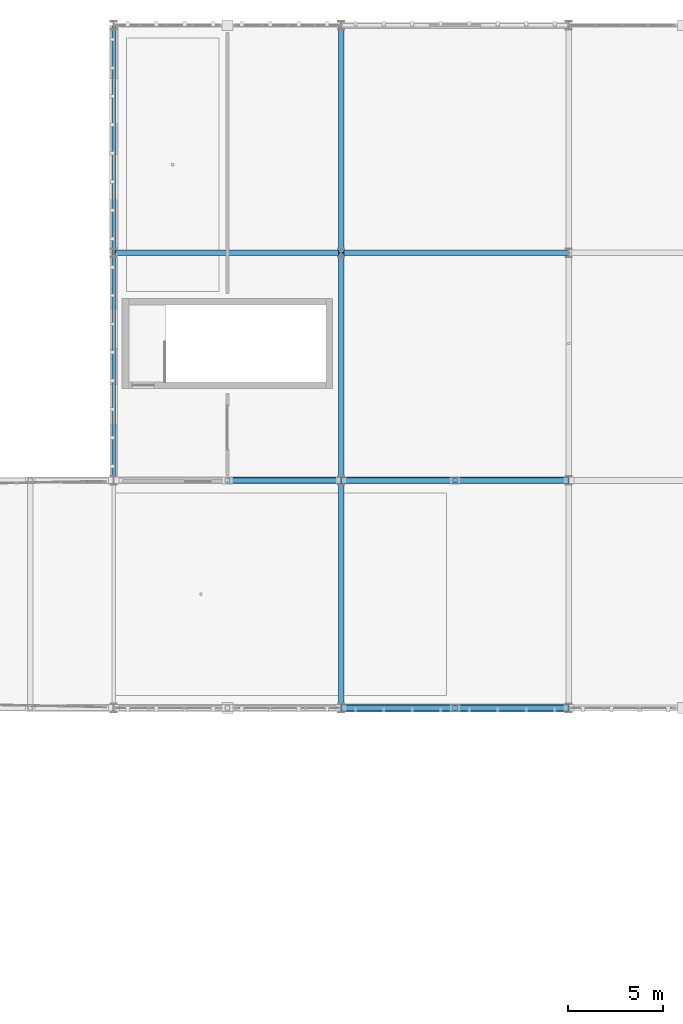
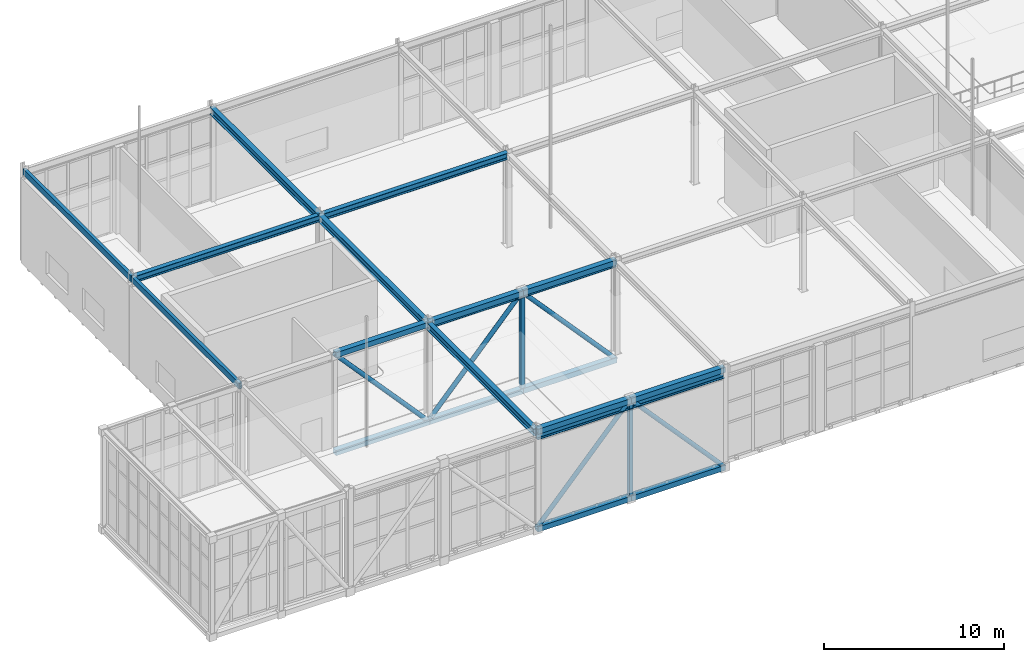
# One storey, part 15 of 62: 17 members, 9 beams.
"""IFC4 building model written with IfcOpenShell, lengths in metres."""

from ifc_helpers import new_model, si_unit, direction, frame, origin, origin_2d, place, context, subcontext, project, spatial, hollow_rectangle, hollow_circle, i_section, extrude, material, material_profile, profile_set, type_object, element, save


model = new_model("IFC4")

# Units and contexts
model_context = context("Model", 3, precision=1e-05, world=origin(), true_north=direction((0.0, 1.0)))
body_context = subcontext(model_context, "Body", "Model", "MODEL_VIEW")
ifc_project = project(units=[si_unit("LENGTHUNIT", "METRE"), si_unit("AREAUNIT", "SQUARE_METRE"), si_unit("VOLUMEUNIT", "CUBIC_METRE"), si_unit("PLANEANGLEUNIT", "RADIAN"), si_unit("MASSUNIT", "GRAM", prefix="KILO")], contexts=[model_context])

# Site, building, storey
site_placement = place(None, origin())
site = spatial("IfcSite", under=ifc_project, at=site_placement, CompositionType="ELEMENT")
building_placement = place(site_placement, origin())
building = spatial("IfcBuilding", under=site, at=building_placement, Name="Zlatogorsky Bluff Art Gallery", CompositionType="ELEMENT")
storey_placement = place(building_placement, frame((0.0, 0.0, 16.800048828125)))
storey = spatial("IfcBuildingStorey", under=building, at=storey_placement, Name="L03", CompositionType="ELEMENT", Elevation=16.800048828125)

# Beams
ifc_material = material(Name="Steel S355", Category="steel")
ifc_material_profile_1 = material_profile(ifc_material, i_section(OverallWidth=0.300048828125, OverallDepth=0.699951171875, WebThickness=0.01708984375, FlangeThickness=0.031982421875, FilletRadius=0.027099609375, at=origin_2d()), Name="HEB 700")
ifc_profile_set_1 = profile_set([ifc_material_profile_1], Name="Steel S355")
beam_type_1 = type_object("IfcBeamType", Name="Beam BM-02 HEB 700", PredefinedType="BEAM", material=ifc_profile_set_1)
beam_placement = place(storey_placement, frame((12.014892578125, 84.0, 5.97998046875), z_axis=(1.0, 0.0, 0.0), x_axis=(0.0, 1.0, 0.0)))
element("IfcBeam", 1, at=beam_placement, inside=storey, type_object=beam_type_1, Name="Primary girder BM-02 L03 B-C/9", PredefinedType="BEAM", context=body_context, shape_type="SweptSolid", body=[
    extrude(i_section(OverallWidth=0.300048828125, OverallDepth=0.699951171875, WebThickness=0.01708984375, FlangeThickness=0.031982421875, FilletRadius=0.027099609375, at=origin_2d()), origin(), (0.0, 0.0, 1.0), 11.97021484375),
])
ifc_material_profile_2 = material_profile(ifc_material, i_section(OverallWidth=0.300048828125, OverallDepth=0.489990234375, WebThickness=0.011962890625, FlangeThickness=0.02294921875, FilletRadius=0.027099609375, at=origin_2d()), Name="HEA 500")
ifc_profile_set_2 = profile_set([ifc_material_profile_2], Name="Steel S355")
beam_type_2 = type_object("IfcBeamType", Name="Beam BM-07 HEA 500", PredefinedType="BEAM", material=ifc_profile_set_2)
for number, where, z_axis, x_axis, name in (
    (2, (12.0, 84.014892578125, 6.0849609375), (0.0, 1.0, 0.0), (-1.0, 0.0, 0.0), "Primary girder BM-07 L03 B/9-10"),
    (3, (12.0, 96.014892578125, 6.0849609375), (0.0, 1.0, 0.0), (-1.0, 0.0, 0.0), "Primary girder BM-07 L03 B/10-11"),
    (4, (12.0, 108.014892578125, 6.0849609375), (0.0, 1.0, 0.0), (-1.0, 0.0, 0.0), "Primary girder BM-07 L03 B/11-12"),
):
    element("IfcBeam", number, at=place(storey_placement, frame(where, z_axis=z_axis, x_axis=x_axis)), inside=storey, type_object=beam_type_2, Name=name, PredefinedType="BEAM", context=body_context, shape_type="SweptSolid", body=[
        extrude(i_section(OverallWidth=0.300048828125, OverallDepth=0.489990234375, WebThickness=0.011962890625, FlangeThickness=0.02294921875, FilletRadius=0.027099609375, at=origin_2d()), origin(), (0.0, 0.0, 1.0), 11.97021484375),
    ])
ifc_material_profile_3 = material_profile(ifc_material, i_section(OverallWidth=0.300048828125, OverallDepth=0.43994140625, WebThickness=0.011474609375, FlangeThickness=0.02099609375, FilletRadius=0.027099609375, at=origin_2d()), Name="HEA 450")
ifc_profile_set_3 = profile_set([ifc_material_profile_3], Name="Steel S355")
beam_type_3 = type_object("IfcBeamType", Name="Beam BM-08 HEA 450", PredefinedType="BEAM", material=ifc_profile_set_3)
for number, where, z_axis, x_axis, name in (
    (5, (0.014892578125, 108.0, 6.10986328125), (1.0, 0.0, 0.0), (0.0, 1.0, 0.0), "Primary girder BM-08 L03 A-B/11"),
    (6, (12.014892578125, 96.0, 6.10986328125), (1.0, 0.0, 0.0), (0.0, 1.0, 0.0), "Primary girder BM-08 L03 B-C/10"),
    (7, (12.014892578125, 108.0, 6.10986328125), (1.0, 0.0, 0.0), (0.0, 1.0, 0.0), "Primary girder BM-08 L03 B-C/11"),
):
    element("IfcBeam", number, at=place(storey_placement, frame(where, z_axis=z_axis, x_axis=x_axis)), inside=storey, type_object=beam_type_3, Name=name, PredefinedType="BEAM", context=body_context, shape_type="SweptSolid", body=[
        extrude(i_section(OverallWidth=0.300048828125, OverallDepth=0.43994140625, WebThickness=0.011474609375, FlangeThickness=0.02099609375, FilletRadius=0.027099609375, at=origin_2d()), origin(), (0.0, 0.0, 1.0), 11.97021484375),
    ])
ifc_material_profile_4 = material_profile(ifc_material, hollow_rectangle(XDim=0.199951171875, YDim=0.39990234375, WallThickness=0.01611328125, at=origin_2d()), Name="RHS 400x200x16")
ifc_profile_set_4 = profile_set([ifc_material_profile_4], Name="Steel S355")
beam_type_4 = type_object("IfcBeamType", Name="Beam SP-02 RHS 400x200x16", PredefinedType="SPANDREL", material=ifc_profile_set_4)
for number, where, z_axis, x_axis, name in (
    (8, (0.0, 96.014892578125, 6.1298828125), (0.0, 1.0, 0.0), (-1.0, 0.0, 0.0), "Primary girder SP-02 L03 A/10-11"),
    (9, (0.0, 108.014892578125, 6.1298828125), (0.0, 1.0, 0.0), (-1.0, 0.0, 0.0), "Primary girder SP-02 L03 A/11-12"),
):
    element("IfcBeam", number, at=place(storey_placement, frame(where, z_axis=z_axis, x_axis=x_axis)), inside=storey, type_object=beam_type_4, Name=name, PredefinedType="SPANDREL", context=body_context, shape_type="SweptSolid", body=[
        extrude(hollow_rectangle(XDim=0.199951171875, YDim=0.39990234375, WallThickness=0.01611328125, at=origin_2d()), origin(), (0.0, 0.0, 1.0), 11.97021484375),
    ])

# Members
ifc_material_profile_5 = material_profile(ifc_material, hollow_rectangle(XDim=0.35009765625, YDim=0.35009765625, WallThickness=0.01611328125, at=origin_2d()), Name="SHS 350x350x16")
ifc_profile_set_5 = profile_set([ifc_material_profile_5], Name="Steel S355")
member_type_1 = type_object("IfcMemberType", Name="Member TC-01 SHS 350x350x16", PredefinedType="CHORD", material=ifc_profile_set_5)
for number, where, z_axis, x_axis, name in (
    (10, (12.0, 84.0, -0.4150390625), (1.0, 0.0, 0.0), (0.0, 1.0, 0.0), "Lookout cantilever truss bottom chord S.5"),
    (11, (12.0, 84.0, 6.204833984375), (1.0, 0.0, 0.0), (0.0, 1.0, 0.0), "Lookout cantilever truss top chord S.5"),
    (12, (18.0, 84.0, -0.4150390625), (1.0, 0.0, 0.0), (0.0, 1.0, 0.0), "Lookout cantilever truss bottom chord S.6"),
    (13, (18.0, 84.0, 6.204833984375), (1.0, 0.0, 0.0), (0.0, 1.0, 0.0), "Lookout cantilever truss top chord S.6"),
    (14, (6.0, 96.0, -0.4150390625), (1.0, 0.0, 0.0), (0.0, 1.0, 0.0), "Lookout cantilever truss bottom chord N.4"),
    (15, (6.0, 96.0, 6.204833984375), (1.0, 0.0, 0.0), (0.0, 1.0, 0.0), "Lookout cantilever truss top chord N.4"),
    (16, (12.0, 96.0, -0.4150390625), (1.0, 0.0, 0.0), (0.0, 1.0, 0.0), "Lookout cantilever truss bottom chord N.5"),
    (17, (12.0, 96.0, 6.204833984375), (1.0, 0.0, 0.0), (0.0, 1.0, 0.0), "Lookout cantilever truss top chord N.5"),
    (18, (18.0, 96.0, -0.4150390625), (1.0, 0.0, 0.0), (0.0, 1.0, 0.0), "Lookout cantilever truss bottom chord N.6"),
    (19, (18.0, 96.0, 6.204833984375), (1.0, 0.0, 0.0), (0.0, 1.0, 0.0), "Lookout cantilever truss top chord N.6"),
):
    element("IfcMember", number, at=place(storey_placement, frame(where, z_axis=z_axis, x_axis=x_axis)), inside=storey, type_object=member_type_1, Name=name, PredefinedType="CHORD", context=body_context, shape_type="SweptSolid", body=[
        extrude(hollow_rectangle(XDim=0.35009765625, YDim=0.35009765625, WallThickness=0.01611328125, at=origin_2d()), origin(), (0.0, 0.0, 1.0), 6.0),
    ])
ifc_material_profile_6 = material_profile(ifc_material, hollow_circle(Radius=0.136474609375, WallThickness=0.01611328125, at=origin_2d()), Name="CHS 273x16")
ifc_profile_set_6 = profile_set([ifc_material_profile_6], Name="Steel S355")
member_type_2 = type_object("IfcMemberType", Name="Member TD-01 CHS 273x16", PredefinedType="BRACE", material=ifc_profile_set_6)
for number, where, z_axis, x_axis, name in (
    (20, (12.0, 84.0, -0.4150390625), (0.671564903392, 0.0, 0.740945733865), (0.0, 1.0, 0.0), "Lookout cantilever truss web diagonal S.5"),
    (21, (18.0, 84.0, 6.204833984375), (0.671564903392, 0.0, -0.740945733865), (0.0, 1.0, 0.0), "Lookout cantilever truss web diagonal S.6"),
    (22, (6.0, 96.0, 6.204833984375), (0.671564903392, 0.0, -0.740945733865), (0.0, 1.0, 0.0), "Lookout cantilever truss web diagonal N.4"),
    (23, (12.0, 96.0, -0.4150390625), (0.671564903392, 0.0, 0.740945733865), (0.0, 1.0, 0.0), "Lookout cantilever truss web diagonal N.5"),
    (24, (18.0, 96.0, 6.204833984375), (0.671564903392, 0.0, -0.740945733865), (0.0, 1.0, 0.0), "Lookout cantilever truss web diagonal N.6"),
):
    element("IfcMember", number, at=place(storey_placement, frame(where, z_axis=z_axis, x_axis=x_axis)), inside=storey, type_object=member_type_2, Name=name, PredefinedType="BRACE", context=body_context, shape_type="SweptSolid", body=[
        extrude(hollow_circle(Radius=0.136474609375, WallThickness=0.01611328125, at=origin_2d()), origin(), (0.0, 0.0, 1.0), 8.934326171875),
    ])
ifc_material_profile_7 = material_profile(ifc_material, hollow_rectangle(XDim=0.25, YDim=0.25, WallThickness=0.01611328125, at=origin_2d()), Name="SHS 250x250x16")
ifc_profile_set_7 = profile_set([ifc_material_profile_7], Name="Steel S355")
member_type_3 = type_object("IfcMemberType", Name="Member TP-01 SHS 250x250x16", PredefinedType="POST", material=ifc_profile_set_7)
for number, where, z_axis, x_axis, name in (
    (25, (18.0, 84.0, -0.4150390625), (0.0, 0.0, 1.0), (1.0, 0.0, 0.0), "Lookout cantilever truss post S.6"),
    (26, (18.0, 96.0, -0.4150390625), (0.0, 0.0, 1.0), (1.0, 0.0, 0.0), "Lookout cantilever truss post N.6"),
):
    element("IfcMember", number, at=place(storey_placement, frame(where, z_axis=z_axis, x_axis=x_axis)), inside=storey, type_object=member_type_3, Name=name, PredefinedType="POST", context=body_context, shape_type="SweptSolid", body=[
        extrude(hollow_rectangle(XDim=0.25, YDim=0.25, WallThickness=0.01611328125, at=origin_2d()), origin(), (0.0, 0.0, 1.0), 6.619873046875),
    ])

save(model, "model.ifc")
